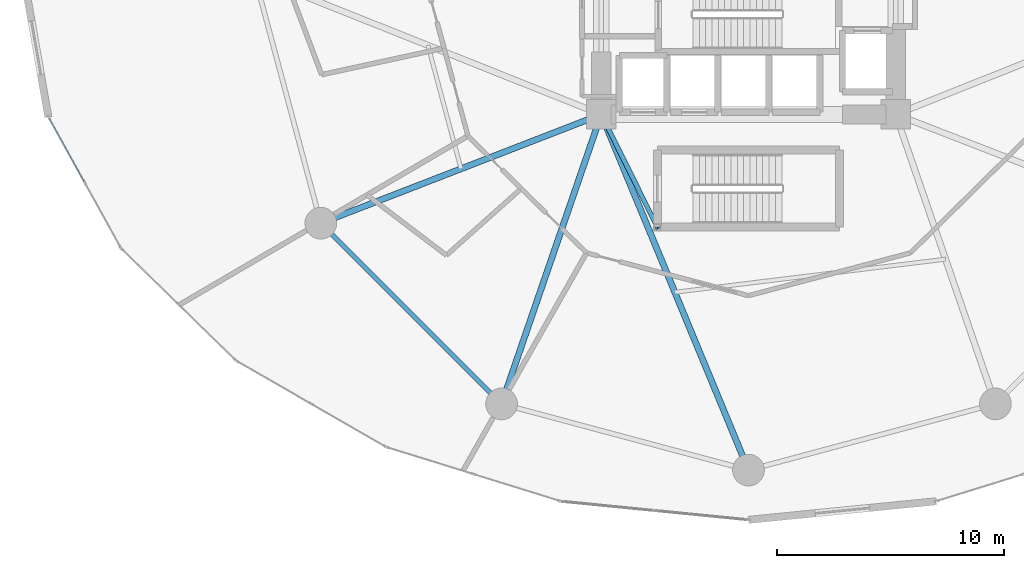
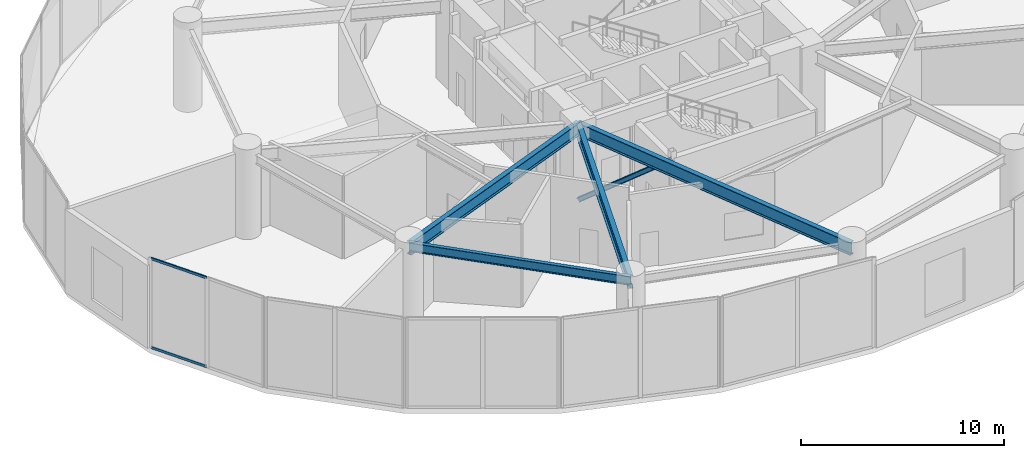
# One storey, part 6 of 29: 4 beams, 3 members, 1 element without a shape of its own.
"""IFC4 building model written with IfcOpenShell, lengths in metres."""

import ifcopenshell
import ifcopenshell.guid

model = None  # the IFC model being written
_history = None  # IfcOwnerHistory: only IFC2X3 demands one
_inside = {}  # id of a spatial element -> (the spatial element, [elements in it])
_under = {}  # id of a project, library or spatial element -> (it, [spatial elements below it])
_declared = {}  # id of a project -> (the project, [libraries it declares])
_typed = {}  # id of a type object -> (the type object, [elements of that type])
_made_of = {}  # id of a material, layer set ... -> (it, [elements and type objects made of it])


def new_model(schema):
    """Start an empty IFC model of exactly this schema.

    Asked for "IFC4X3", IfcOpenShell would pick the latest addendum, in which some entities
    have other attributes; the version numbers below select the first issue.
    IFC2X3 requires an IfcOwnerHistory on every rooted entity: one is made here for all.
    """
    global model, _history
    if schema == "IFC4X3":
        model = ifcopenshell.file(schema_version=(4, 3, 0, 0))
    else:
        model = ifcopenshell.file(schema=schema)
    _inside.clear()
    _under.clear()
    _declared.clear()
    _typed.clear()
    _made_of.clear()
    _history = None
    if model.schema == "IFC2X3":
        org = make("IfcOrganization", Name="unknown")
        user = make(
            "IfcPersonAndOrganization",
            ThePerson=make("IfcPerson", FamilyName="unknown"),
            TheOrganization=org,
        )
        app = make(
            "IfcApplication",
            ApplicationDeveloper=org,
            Version="unknown",
            ApplicationFullName="unknown",
            ApplicationIdentifier="unknown",
        )
        _history = make(
            "IfcOwnerHistory",
            OwningUser=user,
            OwningApplication=app,
            ChangeAction="ADDED",
            CreationDate=0,
        )
    return model


def make(cls, **values):
    """One entity of the class cls with the attributes given. An attribute that is None is left unset."""
    return model.create_entity(
        cls, **{name: value for name, value in values.items() if value is not None}
    )


def rooted(cls, **values):
    """An entity with a GlobalId (a new one), such as an element, a storey or a relation."""
    return make(cls, GlobalId=ifcopenshell.guid.new(), OwnerHistory=_history, **values)


def si_unit(unit_type, name, prefix=None):
    """IfcSIUnit, for example si_unit("LENGTHUNIT", "METRE", prefix="MILLI")."""
    return make("IfcSIUnit", UnitType=unit_type, Prefix=prefix, Name=name)


def assignment(units):
    """IfcUnitAssignment: the units of a project."""
    return None if units is None else make("IfcUnitAssignment", Units=units)


def point(xyz):
    """IfcCartesianPoint."""
    return None if xyz is None else make("IfcCartesianPoint", Coordinates=xyz)


def direction(xyz):
    """IfcDirection."""
    return None if xyz is None else make("IfcDirection", DirectionRatios=xyz)


def frame(location, z_axis=None, x_axis=None):
    """IfcAxis2Placement3D, a coordinate frame: its origin and axes. An axis left out is left unset."""
    return make(
        "IfcAxis2Placement3D",
        Location=point(location),
        Axis=direction(z_axis),
        RefDirection=direction(x_axis),
    )


def frame_2d(location, x_axis=None):
    """IfcAxis2Placement2D, a coordinate frame in the plane: its origin and x axis."""
    return make(
        "IfcAxis2Placement2D", Location=point(location), RefDirection=direction(x_axis)
    )


def origin():
    """The frame at (0, 0, 0) with its axes left unset."""
    return frame((0.0, 0.0, 0.0))


def origin_2d():
    """The frame at (0, 0) in the plane with its x axis left unset."""
    return frame_2d((0.0, 0.0))


def place(relative_to, where):
    """IfcLocalPlacement: puts the frame where relative to a parent placement (None: the world)."""
    return make(
        "IfcLocalPlacement", PlacementRelTo=relative_to, RelativePlacement=where
    )


def context(
    kind, dimensions, precision=None, world=None, true_north=None, identifier=None
):
    """IfcGeometricRepresentationContext, for example the 3D "Model" context."""
    return make(
        "IfcGeometricRepresentationContext",
        ContextIdentifier=identifier,
        ContextType=kind,
        CoordinateSpaceDimension=dimensions,
        Precision=precision,
        WorldCoordinateSystem=world,
        TrueNorth=true_north,
    )


def subcontext(parent, identifier, kind, view, scale=None):
    """IfcGeometricRepresentationSubContext, for example "Body" below "Model"."""
    return make(
        "IfcGeometricRepresentationSubContext",
        ContextIdentifier=identifier,
        ContextType=kind,
        ParentContext=parent,
        TargetScale=scale,
        TargetView=view,
    )


def project(units=None, contexts=None):
    """IfcProject with its units and contexts."""
    return rooted(
        "IfcProject",
        Name="project",
        RepresentationContexts=contexts,
        UnitsInContext=assignment(units),
    )


def spatial(cls, under=None, at=None, **own):
    """A site, building, storey or space (cls), placed at a placement, below another one or the project."""
    s = rooted(cls, ObjectPlacement=at, **own)
    if under is not None:
        _under.setdefault(under.id(), (under, []))[1].append(s)
    return s


def profile(cls, at=None, kind="AREA", **sizes):
    """A parametric profile (cls). Its sizes go by their IFC names, for example OverallWidth=200.0."""
    return make(cls, ProfileType=kind, Position=at, **sizes)


def hollow_rectangle(**sizes):
    """IfcRectangleHollowProfileDef."""
    return profile("IfcRectangleHollowProfileDef", **sizes)


def i_section(**sizes):
    """IfcIShapeProfileDef."""
    return profile("IfcIShapeProfileDef", **sizes)


def extrude(swept, where, along, depth):
    """IfcExtrudedAreaSolid: the profile swept, set in the frame where, extruded along a direction by depth."""
    return make(
        "IfcExtrudedAreaSolid",
        SweptArea=swept,
        Position=where,
        ExtrudedDirection=direction(along),
        Depth=depth,
    )


def shape(context_of_items, identifier, shape_type, items):
    """IfcShapeRepresentation: the items that make up one representation, for example the "Body"."""
    return make(
        "IfcShapeRepresentation",
        ContextOfItems=context_of_items,
        RepresentationIdentifier=identifier,
        RepresentationType=shape_type,
        Items=items,
    )


def source(mapping_origin, context_of_items, identifier, shape_type, items):
    """IfcRepresentationMap: a shape defined once, which mapped items show again and again."""
    return make(
        "IfcRepresentationMap",
        MappingOrigin=mapping_origin,
        MappedRepresentation=shape(context_of_items, identifier, shape_type, items),
    )


def transform(
    local_origin,
    x_axis=None,
    y_axis=None,
    z_axis=None,
    scale=None,
    scale2=None,
    scale3=None,
    uniform=True,
):
    """IfcCartesianTransformationOperator3D, or its non-uniform kind. x_axis, y_axis, z_axis: its Axis1, 2, 3."""
    if uniform:
        return make(
            "IfcCartesianTransformationOperator3D",
            Axis1=direction(x_axis),
            Axis2=direction(y_axis),
            LocalOrigin=point(local_origin),
            Scale=scale,
            Axis3=direction(z_axis),
        )
    return make(
        "IfcCartesianTransformationOperator3DnonUniform",
        Axis1=direction(x_axis),
        Axis2=direction(y_axis),
        LocalOrigin=point(local_origin),
        Scale=scale,
        Axis3=direction(z_axis),
        Scale2=scale2,
        Scale3=scale3,
    )


def mapped(mapping_source, mapping_target):
    """IfcMappedItem: shows the shape of a source again, moved by a transform."""
    return make(
        "IfcMappedItem", MappingSource=mapping_source, MappingTarget=mapping_target
    )


def material(Name=None, Category=None):
    """IfcMaterial."""
    return make("IfcMaterial", Name=Name, Category=Category)


def layer(
    of_material, thickness, ventilated=None, Name=None, Category=None, Priority=None
):
    """IfcMaterialLayer: one layer of a wall or slab, of a material (None: an air gap)."""
    return make(
        "IfcMaterialLayer",
        Material=of_material,
        LayerThickness=thickness,
        IsVentilated=ventilated,
        Name=Name,
        Category=Category,
        Priority=Priority,
    )


def layer_set(layers, Name=None):
    """IfcMaterialLayerSet."""
    return make("IfcMaterialLayerSet", MaterialLayers=layers, LayerSetName=Name)


def material_profile(
    of_material, cross_section, Name=None, Category=None, Priority=None
):
    """IfcMaterialProfile: a cross section and its material."""
    return make(
        "IfcMaterialProfile",
        Name=Name,
        Material=of_material,
        Profile=cross_section,
        Priority=Priority,
        Category=Category,
    )


def profile_set(profiles, Name=None, composite=None):
    """IfcMaterialProfileSet."""
    return make(
        "IfcMaterialProfileSet",
        Name=Name,
        MaterialProfiles=profiles,
        CompositeProfile=composite,
    )


def made_of(thing, what):
    """Note that an element or type object is made of a material, layer set ...; save() writes the relation."""
    if what is not None:
        _made_of.setdefault(what.id(), (what, []))[1].append(thing)
    return thing


def type_object(cls, material=None, **own):
    """A type object (cls), such as IfcWallType, which elements share."""
    return made_of(rooted(cls, **own), material)


def element(
    cls,
    number,
    at=None,
    inside=None,
    cuts=None,
    type_object=None,
    material=None,
    context=None,
    identifier="Body",
    shape_type=None,
    held_by="IfcProductDefinitionShape",
    body=None,
    shapes=None,
    **own,
):
    """One element of the class cls, such as IfcWall. Its Tag is "e" and its number.

    at: its placement. inside: the storey or other place that contains it. cuts: it is an
    opening in that element (IfcRelVoidsElement). A single representation is given by context,
    identifier, shape_type and body (its items); several are given by shapes. held_by: the class
    of the entity that holds the representations. save() writes the other relations.
    """
    e = rooted(cls, Tag="e%d" % number, ObjectPlacement=at, **own)
    if body is not None:
        shapes = [shape(context, identifier, shape_type, body)]
    if shapes is not None:
        e.Representation = make(held_by, Representations=shapes)
    if inside is not None:
        _inside.setdefault(inside.id(), (inside, []))[1].append(e)
    if cuts is not None:
        rooted(
            "IfcRelVoidsElement", RelatingBuildingElement=cuts, RelatedOpeningElement=e
        )
    if type_object is not None:
        _typed.setdefault(type_object.id(), (type_object, []))[1].append(e)
    return made_of(e, material)


def aggregate(whole, parts):
    """IfcRelAggregates: a whole, such as a stair, and the parts it consists of."""
    return rooted("IfcRelAggregates", RelatingObject=whole, RelatedObjects=parts)


def save(model, path):
    """Write the relations noted so far, then the file.

    IfcRelAggregates (storeys below a building ...), IfcRelContainedInSpatialStructure (elements
    in a storey), IfcRelDefinesByType, IfcRelAssociatesMaterial and IfcRelDeclares: one each for
    every whole, place, type object, material and project.
    """
    for whole, parts in _under.values():
        aggregate(whole, parts)
    for where, things in _inside.values():
        rooted(
            "IfcRelContainedInSpatialStructure",
            RelatedElements=things,
            RelatingStructure=where,
        )
    for kind, things in _typed.values():
        rooted("IfcRelDefinesByType", RelatedObjects=things, RelatingType=kind)
    for what, things in _made_of.values():
        rooted("IfcRelAssociatesMaterial", RelatedObjects=things, RelatingMaterial=what)
    for by, libraries in _declared.values():
        rooted("IfcRelDeclares", RelatingContext=by, RelatedDefinitions=libraries)
    model.write(path)


model = new_model("IFC4")

# Units and contexts
model_context = context("Model", 3, precision=1e-05, world=origin(), true_north=direction((0.0, 1.0)))
body_context = subcontext(model_context, "Body", "Model", "MODEL_VIEW")
ifc_project = project(units=[si_unit("LENGTHUNIT", "METRE"), si_unit("AREAUNIT", "SQUARE_METRE"), si_unit("VOLUMEUNIT", "CUBIC_METRE"), si_unit("PLANEANGLEUNIT", "RADIAN"), si_unit("MASSUNIT", "GRAM", prefix="KILO")], contexts=[model_context])

# Site, building, storey
site_placement = place(None, origin())
site = spatial("IfcSite", under=ifc_project, at=site_placement, CompositionType="ELEMENT")
building_placement = place(site_placement, origin())
building = spatial("IfcBuilding", under=site, at=building_placement, Name="Solvirekh Grand Hotel", CompositionType="ELEMENT")
storey_placement = place(building_placement, frame((0.0, 0.0, 7.199951171875)))
storey = spatial("IfcBuildingStorey", under=building, at=storey_placement, Name="L01", CompositionType="ELEMENT", Elevation=7.199951171875)

# Beams
ifc_material_1 = material(Name="Steel S355", Category="steel")
ifc_material_profile_1 = material_profile(ifc_material_1, i_section(OverallWidth=0.27001953125, OverallDepth=0.77294921875, WebThickness=0.01806640625, FlangeThickness=0.031005859375, FilletRadius=0.01806640625, at=origin_2d()), Name="W760X257")
ifc_profile_set_1 = profile_set([ifc_material_profile_1], Name="Steel S355")
beam_type_1 = type_object("IfcBeamType", Name="Beam_Ballroom_W760", PredefinedType="BEAM", material=ifc_profile_set_1)
beam_1_placement = place(storey_placement, frame((-6.5, -6.10009765625, 4.593017578125), z_axis=(-0.932365862704, -0.361516110381, 0.0), x_axis=(0.361516110381, -0.932365862704, 0.0)))
element("IfcBeam", 1, at=beam_1_placement, inside=storey, type_object=beam_type_1, Name="L01 radial floor beam R08", PredefinedType="BEAM", context=body_context, shape_type="SweptSolid", body=[
    extrude(i_section(OverallWidth=0.27001953125, OverallDepth=0.77294921875, WebThickness=0.01806640625, FlangeThickness=0.031005859375, FilletRadius=0.01806640625, at=origin_2d()), origin(), (0.0, 0.0, 1.0), 13.27685546875),
])
beam_2_placement = place(storey_placement, frame((-6.5, -6.10009765625, 4.593017578125), z_axis=(-0.325555300394, -0.94552300151, 0.0), x_axis=(0.94552300151, -0.325555300394, 0.0)))
element("IfcBeam", 2, at=beam_2_placement, inside=storey, type_object=beam_type_1, Name="L01 radial floor beam R09", PredefinedType="BEAM", context=body_context, shape_type="SweptSolid", body=[
    extrude(i_section(OverallWidth=0.27001953125, OverallDepth=0.77294921875, WebThickness=0.01806640625, FlangeThickness=0.031005859375, FilletRadius=0.01806640625, at=origin_2d()), origin(), (0.0, 0.0, 1.0), 13.51513671875),
])
beam_3_placement = place(storey_placement, frame((-6.5, -6.10009765625, 4.593017578125), z_axis=(0.382526065589, -0.923944700264, 0.0), x_axis=(0.923944700264, 0.382526065589, 0.0)))
element("IfcBeam", 3, at=beam_3_placement, inside=storey, type_object=beam_type_1, Name="L01 radial floor beam R10", PredefinedType="BEAM", context=body_context, shape_type="SweptSolid", body=[
    extrude(i_section(OverallWidth=0.27001953125, OverallDepth=0.77294921875, WebThickness=0.01806640625, FlangeThickness=0.031005859375, FilletRadius=0.01806640625, at=origin_2d()), origin(), (0.0, 0.0, 1.0), 16.9921875),
])
ifc_material_profile_2 = material_profile(ifc_material_1, i_section(OverallWidth=0.208984375, OverallDepth=0.532958984375, WebThickness=0.010009765625, FlangeThickness=0.014892578125, FilletRadius=0.013916015625, at=origin_2d()), Name="W530X92")
ifc_profile_set_2 = profile_set([ifc_material_profile_2], Name="Steel S355")
beam_type_2 = type_object("IfcBeamType", Name="Spandrel_Ring_W530", PredefinedType="SPANDREL", material=ifc_profile_set_2)
beam_4_placement = place(storey_placement, frame((-18.87890625, -10.89990234375, 4.713134765625), z_axis=(0.707106781187, -0.707106781187, 0.0), x_axis=(0.707106781187, 0.707106781187, 0.0)))
element("IfcBeam", 4, at=beam_4_placement, inside=storey, type_object=beam_type_2, Name="L01 perimeter spandrel beam 8", PredefinedType="SPANDREL", context=body_context, shape_type="SweptSolid", body=[
    extrude(i_section(OverallWidth=0.208984375, OverallDepth=0.532958984375, WebThickness=0.010009765625, FlangeThickness=0.014892578125, FilletRadius=0.013916015625, at=origin_2d()), origin(), (0.0, 0.0, 1.0), 11.283935546875),
])

# Member
ifc_material_profile_3 = material_profile(ifc_material_1, i_section(OverallWidth=0.201904296875, OverallDepth=0.2470703125, WebThickness=0.007080078125, FlangeThickness=0.010986328125, FilletRadius=0.010009765625, at=origin_2d()), Name="W250X49")
ifc_profile_set_3 = profile_set([ifc_material_profile_3], Name="Steel S355")
member_type_1 = type_object("IfcMemberType", Name="Stringer_Feature_W250", PredefinedType="STRINGER", material=ifc_profile_set_3)
member_1_placement = place(storey_placement, frame((-6.5, -6.10009765625, 0.25), z_axis=(0.343114963849, -0.689648216448, 0.637696996334), x_axis=(0.895312965643, 0.445437642719, 0.0)))
element("IfcMember", 5, at=member_1_placement, inside=storey, type_object=member_type_1, Name="L01 podium stair ST-3 steel stringer", PredefinedType="STRINGER", context=body_context, shape_type="SweptSolid", body=[
    extrude(i_section(OverallWidth=0.201904296875, OverallDepth=0.2470703125, WebThickness=0.007080078125, FlangeThickness=0.010986328125, FilletRadius=0.010009765625, at=origin_2d()), origin(), (0.0, 0.0, 1.0), 7.213623046875),
])

# Curtain wall, members
ifc_material_2 = material(Name="Anodized Bronze Aluminium 6063-T6", Category="aluminium")
ifc_layer = layer(ifc_material_2, 0.219970703125)
ifc_layer_set = layer_set([ifc_layer], Name="Anodized Bronze Aluminium 6063-T6")
curtain_wall_type = type_object("IfcCurtainWallType", Name="CW_Sys1_PodiumBronzeUnitised", PredefinedType="NOTDEFINED", material=ifc_layer_set)
curtain_wall_placement = place(storey_placement, origin())
curtain_wall = element("IfcCurtainWall", 6, at=curtain_wall_placement, inside=storey, type_object=curtain_wall_type, Name="L01 unitised bronze-glass curtain wall CW-L01-C14", PredefinedType="NOTDEFINED")
ifc_material_profile_4 = material_profile(ifc_material_2, hollow_rectangle(XDim=0.06494140625, YDim=0.14990234375, WallThickness=0.0048828125, at=origin_2d()), Name="ALU RHS 150X65X5")
ifc_profile_set_4 = profile_set([ifc_material_profile_4], Name="Anodized Bronze Aluminium 6063-T6")
member_type_2 = type_object("IfcMemberType", Name="CWTransom_Sys1", PredefinedType="USERDEFINED", material=ifc_profile_set_4)
shared_shape = source(origin(), body_context, "Body", "SweptSolid", [
    extrude(hollow_rectangle(XDim=0.06494140625, YDim=0.14990234375, WallThickness=0.0048828125, at=origin_2d()), origin(), (0.0, 0.0, 1.0), 3.19384765625),
])
member_2_placement = place(storey_placement, frame((-30.873779296875, -6.277587890625, 0.032470703125), z_axis=(0.48349963747, -0.875344561054, 0.0), x_axis=(0.875344561054, 0.48349963747, 0.0)))
member_2 = element("IfcMember", 7, at=member_2_placement, type_object=member_type_2, Name="U01 transom 1.1", ObjectType="TRANSOM", PredefinedType="USERDEFINED", context=body_context, shape_type="MappedRepresentation", body=[
    mapped(shared_shape, transform((0.0, 0.0, 0.0), x_axis=(1.0, 0.0, 0.0), y_axis=(0.0, 1.0, 0.0), z_axis=(0.0, 0.0, 1.0), scale=1.0)),
])
member_3_placement = place(storey_placement, frame((-30.873779296875, -6.277587890625, 5.367431640625), z_axis=(0.48349963747, -0.875344561054, 0.0), x_axis=(0.875344561054, 0.48349963747, 0.0)))
member_3 = element("IfcMember", 8, at=member_3_placement, type_object=member_type_2, Name="U01 transom 1.2", ObjectType="TRANSOM", PredefinedType="USERDEFINED", context=body_context, shape_type="MappedRepresentation", body=[
    mapped(shared_shape, transform((0.0, 0.0, 0.0), x_axis=(1.0, 0.0, 0.0), y_axis=(0.0, 1.0, 0.0), z_axis=(0.0, 0.0, 1.0), scale=1.0)),
])
aggregate(curtain_wall, [member_2, member_3])

save(model, "model.ifc")
